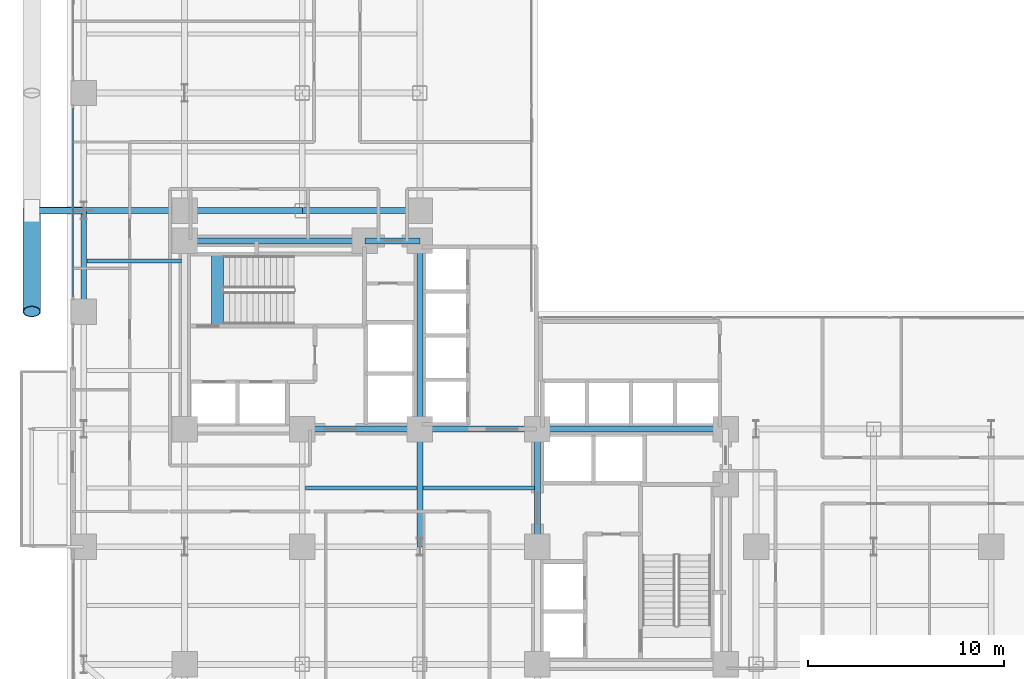
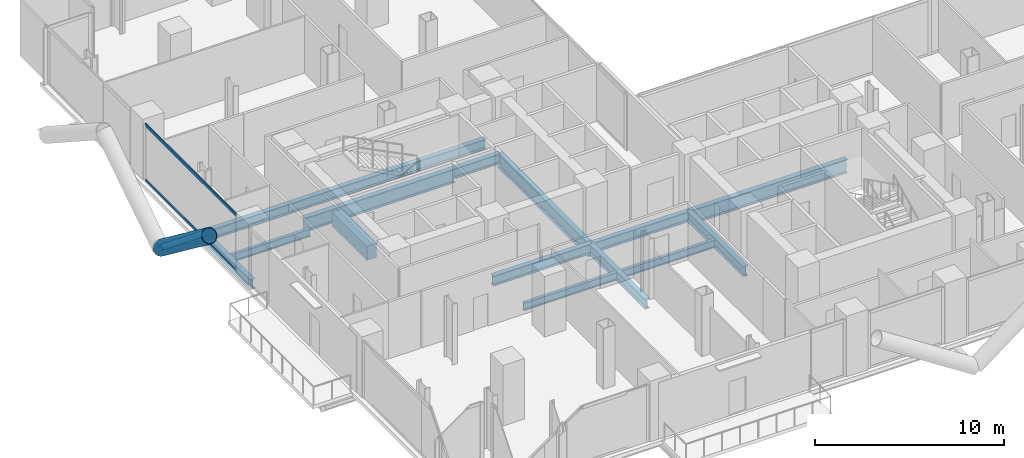
# One storey, part 6 of 25: 16 beams, 4 members, 1 element without a shape of its own.
"""IFC4 building model written with IfcOpenShell, lengths in metres."""

import ifcopenshell
import ifcopenshell.guid

model = None  # the IFC model being written
_history = None  # IfcOwnerHistory: only IFC2X3 demands one
_inside = {}  # id of a spatial element -> (the spatial element, [elements in it])
_under = {}  # id of a project, library or spatial element -> (it, [spatial elements below it])
_declared = {}  # id of a project -> (the project, [libraries it declares])
_typed = {}  # id of a type object -> (the type object, [elements of that type])
_made_of = {}  # id of a material, layer set ... -> (it, [elements and type objects made of it])


def new_model(schema):
    """Start an empty IFC model of exactly this schema.

    Asked for "IFC4X3", IfcOpenShell would pick the latest addendum, in which some entities
    have other attributes; the version numbers below select the first issue.
    IFC2X3 requires an IfcOwnerHistory on every rooted entity: one is made here for all.
    """
    global model, _history
    if schema == "IFC4X3":
        model = ifcopenshell.file(schema_version=(4, 3, 0, 0))
    else:
        model = ifcopenshell.file(schema=schema)
    _inside.clear()
    _under.clear()
    _declared.clear()
    _typed.clear()
    _made_of.clear()
    _history = None
    if model.schema == "IFC2X3":
        org = make("IfcOrganization", Name="unknown")
        user = make(
            "IfcPersonAndOrganization",
            ThePerson=make("IfcPerson", FamilyName="unknown"),
            TheOrganization=org,
        )
        app = make(
            "IfcApplication",
            ApplicationDeveloper=org,
            Version="unknown",
            ApplicationFullName="unknown",
            ApplicationIdentifier="unknown",
        )
        _history = make(
            "IfcOwnerHistory",
            OwningUser=user,
            OwningApplication=app,
            ChangeAction="ADDED",
            CreationDate=0,
        )
    return model


def make(cls, **values):
    """One entity of the class cls with the attributes given. An attribute that is None is left unset."""
    return model.create_entity(
        cls, **{name: value for name, value in values.items() if value is not None}
    )


def rooted(cls, **values):
    """An entity with a GlobalId (a new one), such as an element, a storey or a relation."""
    return make(cls, GlobalId=ifcopenshell.guid.new(), OwnerHistory=_history, **values)


def si_unit(unit_type, name, prefix=None):
    """IfcSIUnit, for example si_unit("LENGTHUNIT", "METRE", prefix="MILLI")."""
    return make("IfcSIUnit", UnitType=unit_type, Prefix=prefix, Name=name)


def assignment(units):
    """IfcUnitAssignment: the units of a project."""
    return None if units is None else make("IfcUnitAssignment", Units=units)


def point(xyz):
    """IfcCartesianPoint."""
    return None if xyz is None else make("IfcCartesianPoint", Coordinates=xyz)


def direction(xyz):
    """IfcDirection."""
    return None if xyz is None else make("IfcDirection", DirectionRatios=xyz)


def frame(location, z_axis=None, x_axis=None):
    """IfcAxis2Placement3D, a coordinate frame: its origin and axes. An axis left out is left unset."""
    return make(
        "IfcAxis2Placement3D",
        Location=point(location),
        Axis=direction(z_axis),
        RefDirection=direction(x_axis),
    )


def frame_2d(location, x_axis=None):
    """IfcAxis2Placement2D, a coordinate frame in the plane: its origin and x axis."""
    return make(
        "IfcAxis2Placement2D", Location=point(location), RefDirection=direction(x_axis)
    )


def origin():
    """The frame at (0, 0, 0) with its axes left unset."""
    return frame((0.0, 0.0, 0.0))


def origin_2d():
    """The frame at (0, 0) in the plane with its x axis left unset."""
    return frame_2d((0.0, 0.0))


def place(relative_to, where):
    """IfcLocalPlacement: puts the frame where relative to a parent placement (None: the world)."""
    return make(
        "IfcLocalPlacement", PlacementRelTo=relative_to, RelativePlacement=where
    )


def context(
    kind, dimensions, precision=None, world=None, true_north=None, identifier=None
):
    """IfcGeometricRepresentationContext, for example the 3D "Model" context."""
    return make(
        "IfcGeometricRepresentationContext",
        ContextIdentifier=identifier,
        ContextType=kind,
        CoordinateSpaceDimension=dimensions,
        Precision=precision,
        WorldCoordinateSystem=world,
        TrueNorth=true_north,
    )


def subcontext(parent, identifier, kind, view, scale=None):
    """IfcGeometricRepresentationSubContext, for example "Body" below "Model"."""
    return make(
        "IfcGeometricRepresentationSubContext",
        ContextIdentifier=identifier,
        ContextType=kind,
        ParentContext=parent,
        TargetScale=scale,
        TargetView=view,
    )


def project(units=None, contexts=None):
    """IfcProject with its units and contexts."""
    return rooted(
        "IfcProject",
        Name="project",
        RepresentationContexts=contexts,
        UnitsInContext=assignment(units),
    )


def spatial(cls, under=None, at=None, **own):
    """A site, building, storey or space (cls), placed at a placement, below another one or the project."""
    s = rooted(cls, ObjectPlacement=at, **own)
    if under is not None:
        _under.setdefault(under.id(), (under, []))[1].append(s)
    return s


def profile(cls, at=None, kind="AREA", **sizes):
    """A parametric profile (cls). Its sizes go by their IFC names, for example OverallWidth=200.0."""
    return make(cls, ProfileType=kind, Position=at, **sizes)


def rectangle(**sizes):
    """IfcRectangleProfileDef."""
    return profile("IfcRectangleProfileDef", **sizes)


def hollow_rectangle(**sizes):
    """IfcRectangleHollowProfileDef."""
    return profile("IfcRectangleHollowProfileDef", **sizes)


def hollow_circle(**sizes):
    """IfcCircleHollowProfileDef."""
    return profile("IfcCircleHollowProfileDef", **sizes)


def i_section(**sizes):
    """IfcIShapeProfileDef."""
    return profile("IfcIShapeProfileDef", **sizes)


def extrude(swept, where, along, depth):
    """IfcExtrudedAreaSolid: the profile swept, set in the frame where, extruded along a direction by depth."""
    return make(
        "IfcExtrudedAreaSolid",
        SweptArea=swept,
        Position=where,
        ExtrudedDirection=direction(along),
        Depth=depth,
    )


def shape(context_of_items, identifier, shape_type, items):
    """IfcShapeRepresentation: the items that make up one representation, for example the "Body"."""
    return make(
        "IfcShapeRepresentation",
        ContextOfItems=context_of_items,
        RepresentationIdentifier=identifier,
        RepresentationType=shape_type,
        Items=items,
    )


def material(Name=None, Category=None):
    """IfcMaterial."""
    return make("IfcMaterial", Name=Name, Category=Category)


def layer(
    of_material, thickness, ventilated=None, Name=None, Category=None, Priority=None
):
    """IfcMaterialLayer: one layer of a wall or slab, of a material (None: an air gap)."""
    return make(
        "IfcMaterialLayer",
        Material=of_material,
        LayerThickness=thickness,
        IsVentilated=ventilated,
        Name=Name,
        Category=Category,
        Priority=Priority,
    )


def layer_set(layers, Name=None):
    """IfcMaterialLayerSet."""
    return make("IfcMaterialLayerSet", MaterialLayers=layers, LayerSetName=Name)


def material_profile(
    of_material, cross_section, Name=None, Category=None, Priority=None
):
    """IfcMaterialProfile: a cross section and its material."""
    return make(
        "IfcMaterialProfile",
        Name=Name,
        Material=of_material,
        Profile=cross_section,
        Priority=Priority,
        Category=Category,
    )


def profile_set(profiles, Name=None, composite=None):
    """IfcMaterialProfileSet."""
    return make(
        "IfcMaterialProfileSet",
        Name=Name,
        MaterialProfiles=profiles,
        CompositeProfile=composite,
    )


def made_of(thing, what):
    """Note that an element or type object is made of a material, layer set ...; save() writes the relation."""
    if what is not None:
        _made_of.setdefault(what.id(), (what, []))[1].append(thing)
    return thing


def type_object(cls, material=None, **own):
    """A type object (cls), such as IfcWallType, which elements share."""
    return made_of(rooted(cls, **own), material)


def element(
    cls,
    number,
    at=None,
    inside=None,
    cuts=None,
    type_object=None,
    material=None,
    context=None,
    identifier="Body",
    shape_type=None,
    held_by="IfcProductDefinitionShape",
    body=None,
    shapes=None,
    **own,
):
    """One element of the class cls, such as IfcWall. Its Tag is "e" and its number.

    at: its placement. inside: the storey or other place that contains it. cuts: it is an
    opening in that element (IfcRelVoidsElement). A single representation is given by context,
    identifier, shape_type and body (its items); several are given by shapes. held_by: the class
    of the entity that holds the representations. save() writes the other relations.
    """
    e = rooted(cls, Tag="e%d" % number, ObjectPlacement=at, **own)
    if body is not None:
        shapes = [shape(context, identifier, shape_type, body)]
    if shapes is not None:
        e.Representation = make(held_by, Representations=shapes)
    if inside is not None:
        _inside.setdefault(inside.id(), (inside, []))[1].append(e)
    if cuts is not None:
        rooted(
            "IfcRelVoidsElement", RelatingBuildingElement=cuts, RelatedOpeningElement=e
        )
    if type_object is not None:
        _typed.setdefault(type_object.id(), (type_object, []))[1].append(e)
    return made_of(e, material)


def aggregate(whole, parts):
    """IfcRelAggregates: a whole, such as a stair, and the parts it consists of."""
    return rooted("IfcRelAggregates", RelatingObject=whole, RelatedObjects=parts)


def save(model, path):
    """Write the relations noted so far, then the file.

    IfcRelAggregates (storeys below a building ...), IfcRelContainedInSpatialStructure (elements
    in a storey), IfcRelDefinesByType, IfcRelAssociatesMaterial and IfcRelDeclares: one each for
    every whole, place, type object, material and project.
    """
    for whole, parts in _under.values():
        aggregate(whole, parts)
    for where, things in _inside.values():
        rooted(
            "IfcRelContainedInSpatialStructure",
            RelatedElements=things,
            RelatingStructure=where,
        )
    for kind, things in _typed.values():
        rooted("IfcRelDefinesByType", RelatedObjects=things, RelatingType=kind)
    for what, things in _made_of.values():
        rooted("IfcRelAssociatesMaterial", RelatedObjects=things, RelatingMaterial=what)
    for by, libraries in _declared.values():
        rooted("IfcRelDeclares", RelatingContext=by, RelatedDefinitions=libraries)
    model.write(path)


model = new_model("IFC4")

# Units and contexts
model_context = context("Model", 3, precision=1e-05, world=origin(), true_north=direction((0.0, 1.0)))
body_context = subcontext(model_context, "Body", "Model", "MODEL_VIEW")
ifc_project = project(units=[si_unit("LENGTHUNIT", "METRE"), si_unit("AREAUNIT", "SQUARE_METRE"), si_unit("VOLUMEUNIT", "CUBIC_METRE"), si_unit("PLANEANGLEUNIT", "RADIAN"), si_unit("MASSUNIT", "GRAM", prefix="KILO"), si_unit("THERMODYNAMICTEMPERATUREUNIT", "KELVIN"), si_unit("POWERUNIT", "WATT")], contexts=[model_context])

# Site, building, storey
site_placement = place(None, origin())
site = spatial("IfcSite", under=ifc_project, at=site_placement, CompositionType="ELEMENT")
building_placement = place(site_placement, origin())
building = spatial("IfcBuilding", under=site, at=building_placement, Name="Svarakhadi Broadcast Tower", CompositionType="ELEMENT")
storey_placement = place(building_placement, frame((0.0, 0.0, 32.39990234375)))
storey = spatial("IfcBuildingStorey", under=building, at=storey_placement, Name="L06", CompositionType="ELEMENT", Elevation=32.39990234375)

# Beams
ifc_material_1 = material(Name="Steel S355J2 (IS 2062 E350C)", Category="steel")
ifc_material_profile_1 = material_profile(ifc_material_1, i_section(OverallWidth=0.199951171875, OverallDepth=0.5, WebThickness=0.01025390625, FlangeThickness=0.01611328125, FilletRadius=0.02099609375, at=origin_2d()), Name="NPB 500x200x91")
ifc_profile_set_1 = profile_set([ifc_material_profile_1], Name="Steel S355J2 (IS 2062 E350C)")
beam_type_1 = type_object("IfcBeamType", Name="Beam_NPB500", PredefinedType="BEAM", material=ifc_profile_set_1)
beam_1_placement = place(storey_placement, frame((1.010009765625, 26.574951171875, -0.5), z_axis=(1.0, 0.0, 0.0), x_axis=(0.0, 1.0, 0.0)))
element("IfcBeam", 1, at=beam_1_placement, inside=storey, type_object=beam_type_1, Name="L06 Secondary Composite Beam SB004", PredefinedType="BEAM", context=body_context, shape_type="SweptSolid", body=[
    extrude(i_section(OverallWidth=0.199951171875, OverallDepth=0.5, WebThickness=0.01025390625, FlangeThickness=0.01611328125, FilletRadius=0.02099609375, at=origin_2d()), origin(), (0.0, 0.0, 1.0), 4.830078125),
])
for number, where, z_axis, x_axis, name in (
    (2, (12.159912109375, 15.0, -0.5), (1.0, 0.0, 0.0), (0.0, 1.0, 0.0), "L06 Secondary Composite Beam SB015"),
    (3, (18.159912109375, 15.0, -0.5), (1.0, 0.0, 0.0), (0.0, 1.0, 0.0), "L06 Secondary Composite Beam SB021"),
):
    element("IfcBeam", number, at=place(storey_placement, frame(where, z_axis=z_axis, x_axis=x_axis)), inside=storey, type_object=beam_type_1, Name=name, PredefinedType="BEAM", context=body_context, shape_type="SweptSolid", body=[
        extrude(i_section(OverallWidth=0.199951171875, OverallDepth=0.5, WebThickness=0.01025390625, FlangeThickness=0.01611328125, FilletRadius=0.02099609375, at=origin_2d()), origin(), (0.0, 0.0, 1.0), 5.68017578125),
    ])

# Curtain wall, members
ifc_material_2 = material(Name="Anodised Bronze Aluminium AA 6063-T6", Category="aluminium")
ifc_layer = layer(ifc_material_2, 0.219970703125)
ifc_layer_set = layer_set([ifc_layer], Name="Anodised Bronze Aluminium AA 6063-T6")
curtain_wall_type = type_object("IfcCurtainWallType", Name="CW_Sys_02", PredefinedType="NOTDEFINED", material=ifc_layer_set)
curtain_wall_placement = place(storey_placement, origin())
curtain_wall = element("IfcCurtainWall", 4, at=curtain_wall_placement, inside=storey, type_object=curtain_wall_type, Name="L06 West Curtain Wall 03 Bay 2", PredefinedType="NOTDEFINED")
ifc_material_profile_2 = material_profile(ifc_material_2, hollow_rectangle(XDim=0.074951171875, YDim=0.199951171875, WallThickness=0.0048828125, at=origin_2d()), Name="ALU TRANSOM 200x75x5")
ifc_profile_set_2 = profile_set([ifc_material_profile_2], Name="Anodised Bronze Aluminium AA 6063-T6")
member_type_1 = type_object("IfcMemberType", Name="CW_Sys_02_Trn", PredefinedType="USERDEFINED", material=ifc_profile_set_2)
member_1_placement = place(storey_placement, frame((0.300048828125, 24.7548828125, 0.03759765625), z_axis=(0.0, 1.0, 0.0), x_axis=(-1.0, 0.0, 0.0)))
member_1 = element("IfcMember", 5, at=member_1_placement, type_object=member_type_1, Name="CW-02 transom 1.1", ObjectType="TRANSOM", PredefinedType="USERDEFINED", context=body_context, shape_type="SweptSolid", body=[
    extrude(hollow_rectangle(XDim=0.074951171875, YDim=0.199951171875, WallThickness=0.0048828125, at=origin_2d()), origin(), (0.0, 0.0, 1.0), 9.64013671875),
])
member_2_placement = place(storey_placement, frame((0.300048828125, 24.7548828125, 3.612548828125), z_axis=(0.0, 1.0, 0.0), x_axis=(-1.0, 0.0, 0.0)))
member_2 = element("IfcMember", 6, at=member_2_placement, type_object=member_type_1, Name="CW-02 transom 1.2", ObjectType="TRANSOM", PredefinedType="USERDEFINED", context=body_context, shape_type="SweptSolid", body=[
    extrude(hollow_rectangle(XDim=0.074951171875, YDim=0.199951171875, WallThickness=0.0048828125, at=origin_2d()), origin(), (0.0, 0.0, 1.0), 9.64013671875),
])
aggregate(curtain_wall, [member_1, member_2])

# Beam
ifc_material_3 = material(Name="Concrete C50/60 (IS 456 M60)", Category="concrete")
ifc_material_profile_3 = material_profile(ifc_material_3, rectangle(XDim=0.60009765625, YDim=0.89990234375, at=origin_2d()), Name="RC 600x900")
ifc_profile_set_3 = profile_set([ifc_material_profile_3], Name="Concrete C50/60 (IS 456 M60)")
beam_type_2 = type_object("IfcBeamType", Name="Coupling_RC600", PredefinedType="USERDEFINED", material=ifc_profile_set_3)
beam_2_placement = place(storey_placement, frame((7.679931640625, 23.260009765625, -0.449951171875), z_axis=(0.0, 1.0, 0.0), x_axis=(-1.0, 0.0, 0.0)))
element("IfcBeam", 7, at=beam_2_placement, inside=storey, type_object=beam_type_2, Name="L06 Stair ST-01 Landing Throat Trimmer Beam CB-01", ObjectType="GIRDER", PredefinedType="USERDEFINED", context=body_context, shape_type="SweptSolid", body=[
    extrude(rectangle(XDim=0.60009765625, YDim=0.89990234375, at=origin_2d()), origin(), (0.0, 0.0, 1.0), 3.679931640625),
])

# Members
ifc_material_4 = material(Name="Steel S460ML (IS 2062 E450BR)", Category="steel")
ifc_material_profile_4 = material_profile(ifc_material_4, hollow_circle(Radius=0.45703125, WallThickness=0.044921875, at=origin_2d()), Name="CHS 914x45")
ifc_profile_set_4 = profile_set([ifc_material_profile_4], Name="Steel S460ML (IS 2062 E450BR)")
member_type_2 = type_object("IfcMemberType", Name="Exo_Brace_CHS914", PredefinedType="BRACE", material=ifc_profile_set_4)
member_3_placement = place(storey_placement, frame((-1.800048828125, 29.14990234375, -0.427734375), z_axis=(0.0, -0.797188602897, 0.603730346605), x_axis=(1.0, 0.0, 0.0)))
element("IfcMember", 8, at=member_3_placement, inside=storey, type_object=member_type_2, Name="L06 Exposed Bronze Exoskeleton Diagonal W05", PredefinedType="BRACE", context=body_context, shape_type="SweptSolid", body=[
    extrude(hollow_circle(Radius=0.45703125, WallThickness=0.044921875, at=origin_2d()), origin(), (0.0, 0.0, 1.0), 6.4599609375),
])
ifc_material_profile_5 = material_profile(ifc_material_4, hollow_circle(Radius=0.177734375, WallThickness=0.02001953125, at=origin_2d()), Name="CHS 355.6x20")
ifc_profile_set_5 = profile_set([ifc_material_profile_5], Name="Steel S460ML (IS 2062 E450BR)")
member_type_3 = type_object("IfcMemberType", Name="Exo_Radial_Strut_Z1", PredefinedType="STRUT", material=ifc_profile_set_5)
member_4_placement = place(storey_placement, frame((-1.800048828125, 29.14990234375, -0.427734375), z_axis=(1.0, 0.0, 0.0), x_axis=(0.0, 1.0, 0.0)))
element("IfcMember", 9, at=member_4_placement, inside=storey, type_object=member_type_3, Name="L06 Exoskeleton Radial Tie Strut W03", PredefinedType="STRUT", context=body_context, shape_type="SweptSolid", body=[
    extrude(hollow_circle(Radius=0.177734375, WallThickness=0.02001953125, at=origin_2d()), origin(), (0.0, 0.0, 1.0), 2.650146484375),
])

# Beams
ifc_material_profile_6 = material_profile(ifc_material_1, i_section(OverallWidth=0.300048828125, OverallDepth=0.64990234375, WebThickness=0.01611328125, FlangeThickness=0.031005859375, FilletRadius=0.027099609375, at=origin_2d()), Name="WPB 650x300x225")
ifc_profile_set_6 = profile_set([ifc_material_profile_6], Name="Steel S355J2 (IS 2062 E350C)")
beam_type_3 = type_object("IfcBeamType", Name="Girder_WPB650", PredefinedType="USERDEFINED", material=ifc_profile_set_6)
for number, where, z_axis, x_axis, name in (
    (10, (12.0, 18.0, -0.574951171875), (1.0, 0.0, 0.0), (0.0, 1.0, 0.0), "L06 Primary E-W Girder G027"),
    (11, (18.0, 18.0, -0.574951171875), (1.0, 0.0, 0.0), (0.0, 1.0, 0.0), "L06 Primary E-W Girder G028"),
):
    element("IfcBeam", number, at=place(storey_placement, frame(where, z_axis=z_axis, x_axis=x_axis)), inside=storey, type_object=beam_type_3, Name=name, ObjectType="GIRDER", PredefinedType="USERDEFINED", context=body_context, shape_type="SweptSolid", body=[
        extrude(i_section(OverallWidth=0.300048828125, OverallDepth=0.64990234375, WebThickness=0.01611328125, FlangeThickness=0.031005859375, FilletRadius=0.027099609375, at=origin_2d()), origin(), (0.0, 0.0, 1.0), 6.0),
    ])
beam_3_placement = place(storey_placement, frame((15.199951171875, 27.60009765625, -0.574951171875), z_axis=(1.0, 0.0, 0.0), x_axis=(0.0, 1.0, 0.0)))
element("IfcBeam", 12, at=beam_3_placement, inside=storey, type_object=beam_type_3, Name="L06 Primary E-W Girder G033", ObjectType="GIRDER", PredefinedType="USERDEFINED", context=body_context, shape_type="SweptSolid", body=[
    extrude(i_section(OverallWidth=0.300048828125, OverallDepth=0.64990234375, WebThickness=0.01611328125, FlangeThickness=0.031005859375, FilletRadius=0.027099609375, at=origin_2d()), origin(), (0.0, 0.0, 1.0), 2.800048828125),
])
beam_4_placement = place(storey_placement, frame((0.85009765625, 29.14990234375, -0.574951171875), z_axis=(1.0, 0.0, 0.0), x_axis=(0.0, 1.0, 0.0)))
element("IfcBeam", 13, at=beam_4_placement, inside=storey, type_object=beam_type_3, Name="L06 Primary E-W Girder G034", ObjectType="GIRDER", PredefinedType="USERDEFINED", context=body_context, shape_type="SweptSolid", body=[
    extrude(i_section(OverallWidth=0.300048828125, OverallDepth=0.64990234375, WebThickness=0.01611328125, FlangeThickness=0.031005859375, FilletRadius=0.027099609375, at=origin_2d()), origin(), (0.0, 0.0, 1.0), 5.14990234375),
])
for number, where, z_axis, x_axis, name in (
    (14, (6.0, 29.14990234375, -0.574951171875), (1.0, 0.0, 0.0), (0.0, 1.0, 0.0), "L06 Primary E-W Girder G035"),
    (15, (12.0, 29.14990234375, -0.574951171875), (1.0, 0.0, 0.0), (0.0, 1.0, 0.0), "L06 Primary E-W Girder G036"),
):
    element("IfcBeam", number, at=place(storey_placement, frame(where, z_axis=z_axis, x_axis=x_axis)), inside=storey, type_object=beam_type_3, Name=name, ObjectType="GIRDER", PredefinedType="USERDEFINED", context=body_context, shape_type="SweptSolid", body=[
        extrude(i_section(OverallWidth=0.300048828125, OverallDepth=0.64990234375, WebThickness=0.01611328125, FlangeThickness=0.031005859375, FilletRadius=0.027099609375, at=origin_2d()), origin(), (0.0, 0.0, 1.0), 6.0),
    ])
beam_5_placement = place(storey_placement, frame((0.85009765625, 24.0, -0.574951171875), z_axis=(0.0, 1.0, 0.0), x_axis=(-1.0, 0.0, 0.0)))
element("IfcBeam", 16, at=beam_5_placement, inside=storey, type_object=beam_type_3, Name="L06 Primary N-S Girder G048", ObjectType="GIRDER", PredefinedType="USERDEFINED", context=body_context, shape_type="SweptSolid", body=[
    extrude(i_section(OverallWidth=0.300048828125, OverallDepth=0.64990234375, WebThickness=0.01611328125, FlangeThickness=0.031005859375, FilletRadius=0.027099609375, at=origin_2d()), origin(), (0.0, 0.0, 1.0), 5.14990234375),
])
for number, where, z_axis, x_axis, name in (
    (17, (18.0, 12.0, -0.574951171875), (0.0, 1.0, 0.0), (-1.0, 0.0, 0.0), "L06 Primary N-S Girder G066"),
    (18, (24.0, 12.0, -0.574951171875), (0.0, 1.0, 0.0), (-1.0, 0.0, 0.0), "L06 Primary N-S Girder G073"),
):
    element("IfcBeam", number, at=place(storey_placement, frame(where, z_axis=z_axis, x_axis=x_axis)), inside=storey, type_object=beam_type_3, Name=name, ObjectType="GIRDER", PredefinedType="USERDEFINED", context=body_context, shape_type="SweptSolid", body=[
        extrude(i_section(OverallWidth=0.300048828125, OverallDepth=0.64990234375, WebThickness=0.01611328125, FlangeThickness=0.031005859375, FilletRadius=0.027099609375, at=origin_2d()), origin(), (0.0, 0.0, 1.0), 6.0),
    ])
ifc_material_profile_7 = material_profile(ifc_material_4, i_section(OverallWidth=0.300048828125, OverallDepth=0.89990234375, WebThickness=0.0185546875, FlangeThickness=0.034912109375, FilletRadius=0.030029296875, at=origin_2d()), Name="WPB 900x300x291")
ifc_profile_set_7 = profile_set([ifc_material_profile_7], Name="Steel S460ML (IS 2062 E450BR)")
beam_type_4 = type_object("IfcBeamType", Name="Girder_WPB900", PredefinedType="USERDEFINED", material=ifc_profile_set_7)
beam_6_placement = place(storey_placement, frame((24.0, 18.0, -0.699951171875), z_axis=(1.0, 0.0, 0.0), x_axis=(0.0, 1.0, 0.0)))
element("IfcBeam", 19, at=beam_6_placement, inside=storey, type_object=beam_type_4, Name="L06 Primary E-W Girder G029", ObjectType="GIRDER", PredefinedType="USERDEFINED", context=body_context, shape_type="SweptSolid", body=[
    extrude(i_section(OverallWidth=0.300048828125, OverallDepth=0.89990234375, WebThickness=0.0185546875, FlangeThickness=0.034912109375, FilletRadius=0.030029296875, at=origin_2d()), origin(), (0.0, 0.0, 1.0), 9.60009765625),
])
beam_7_placement = place(storey_placement, frame((6.0, 27.60009765625, -0.699951171875), z_axis=(1.0, 0.0, 0.0), x_axis=(0.0, 1.0, 0.0)))
element("IfcBeam", 20, at=beam_7_placement, inside=storey, type_object=beam_type_4, Name="L06 Primary E-W Girder G032", ObjectType="GIRDER", PredefinedType="USERDEFINED", context=body_context, shape_type="SweptSolid", body=[
    extrude(i_section(OverallWidth=0.300048828125, OverallDepth=0.89990234375, WebThickness=0.0185546875, FlangeThickness=0.034912109375, FilletRadius=0.030029296875, at=origin_2d()), origin(), (0.0, 0.0, 1.0), 9.199951171875),
])
beam_8_placement = place(storey_placement, frame((18.0, 18.0, -0.699951171875), z_axis=(0.0, 1.0, 0.0), x_axis=(-1.0, 0.0, 0.0)))
element("IfcBeam", 21, at=beam_8_placement, inside=storey, type_object=beam_type_4, Name="L06 Primary N-S Girder G067", ObjectType="GIRDER", PredefinedType="USERDEFINED", context=body_context, shape_type="SweptSolid", body=[
    extrude(i_section(OverallWidth=0.300048828125, OverallDepth=0.89990234375, WebThickness=0.0185546875, FlangeThickness=0.034912109375, FilletRadius=0.030029296875, at=origin_2d()), origin(), (0.0, 0.0, 1.0), 9.60009765625),
])

save(model, "model.ifc")
